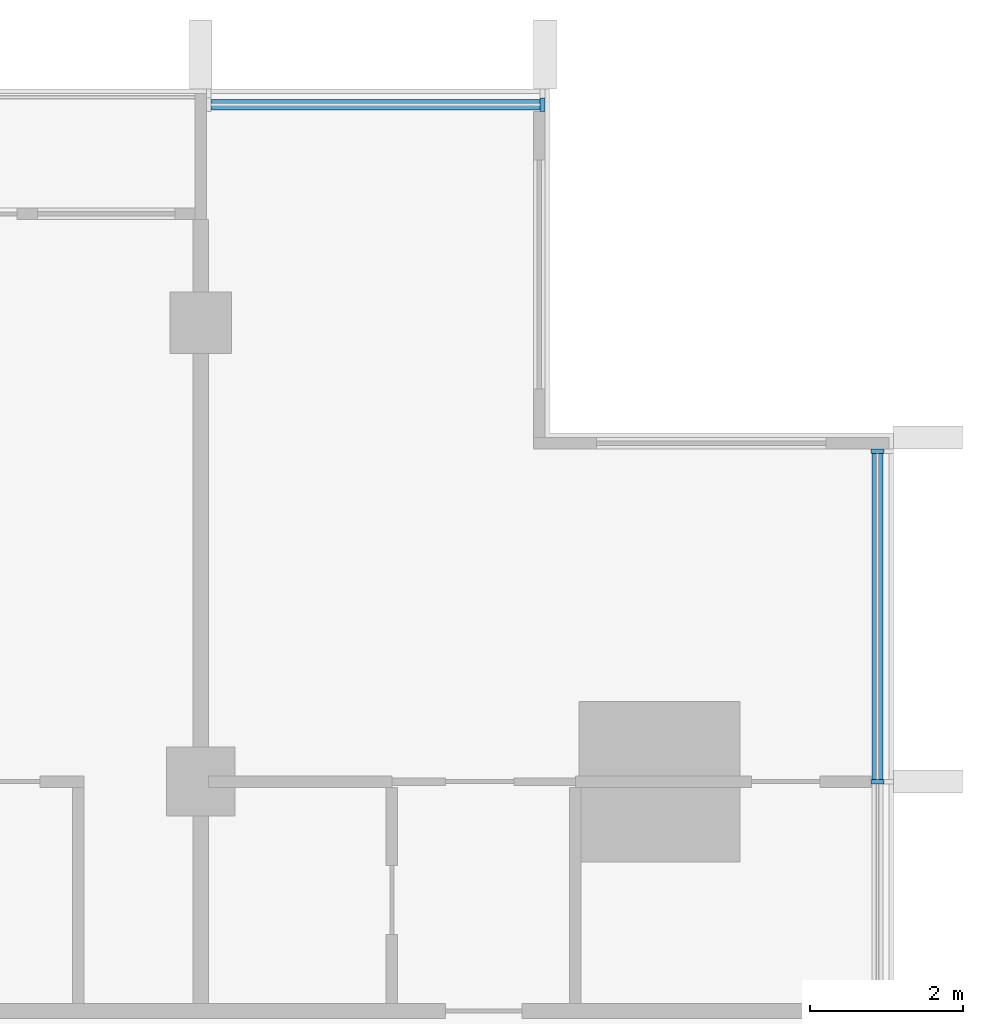
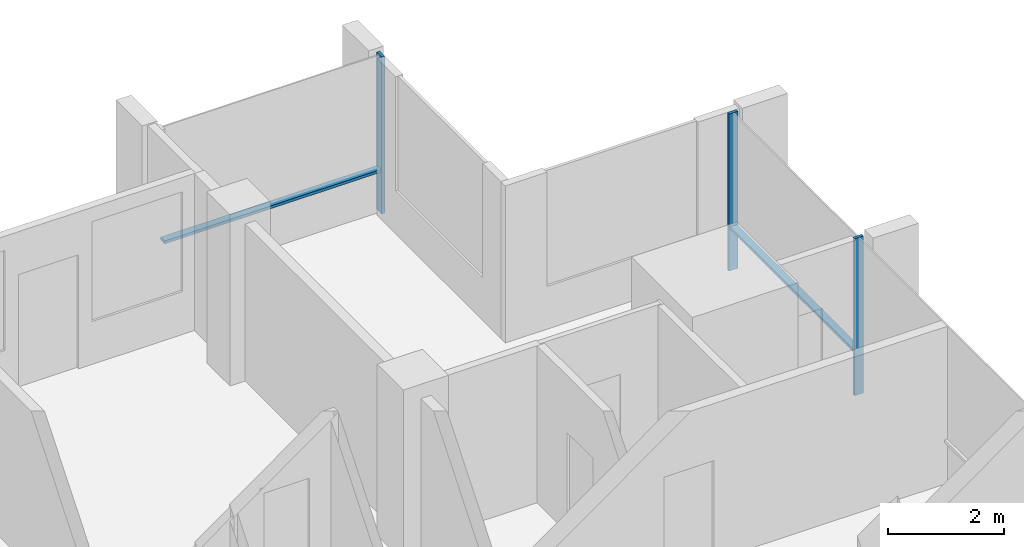
# One storey, part 5 of 16: 5 members, 2 elements without a shape of their own.
"""IFC4 building model written with IfcOpenShell, lengths in metres."""

from ifc_helpers import new_model, si_unit, direction, frame, origin, origin_2d, place, context, subcontext, project, spatial, rectangle, extrude, material, material_profile, profile_set, type_object, element, aggregate, save


model = new_model("IFC4")

# Units and contexts
model_context = context("Model", 3, precision=1e-05, world=origin(), true_north=direction((0.0, 1.0)))
body_context = subcontext(model_context, "Body", "Model", "MODEL_VIEW")
ifc_project = project(units=[si_unit("LENGTHUNIT", "METRE"), si_unit("AREAUNIT", "SQUARE_METRE"), si_unit("VOLUMEUNIT", "CUBIC_METRE"), si_unit("PLANEANGLEUNIT", "RADIAN"), si_unit("MASSUNIT", "GRAM", prefix="KILO")], contexts=[model_context])

# Site, building, storey
site_placement = place(None, origin())
site = spatial("IfcSite", under=ifc_project, at=site_placement, CompositionType="ELEMENT")
building_placement = place(site_placement, origin())
building = spatial("IfcBuilding", under=site, at=building_placement, Name="Finial Court Residences", CompositionType="ELEMENT")
storey_placement = place(building_placement, frame((0.0, 0.0, 241.10009765625)))
storey = spatial("IfcBuildingStorey", under=building, at=storey_placement, Name="L61", CompositionType="ELEMENT", Elevation=241.10009765625)

# Curtain wall, member
ifc_material = material(Name="Bronze anodised aluminium", Category="aluminium")
curtain_wall_type = type_object("IfcCurtainWallType", Name="Unitised curtain wall, upper zones", PredefinedType="NOTDEFINED", material=ifc_material)
curtain_wall_1_placement = place(storey_placement, origin())
curtain_wall_1 = element("IfcCurtainWall", 1, at=curtain_wall_1_placement, inside=storey, type_object=curtain_wall_type, Name="E-L61-CW-N3", PredefinedType="NOTDEFINED")
ifc_material_profile_1 = material_profile(ifc_material, rectangle(XDim=0.175048828125, YDim=0.06005859375, at=origin_2d()), Name="CW2 mullion 60 x 175")
ifc_profile_set_1 = profile_set([ifc_material_profile_1], Name="Bronze anodised aluminium")
member_type_1 = type_object("IfcMemberType", Name="CW2 mullion 60 x 175", PredefinedType="MULLION", material=ifc_profile_set_1)
member_1_placement = place(storey_placement, frame((14.969970703125, 16.35009765625, 0.0), z_axis=(0.0, 0.0, 1.0), x_axis=(0.0, 1.0, 0.0)))
member_1 = element("IfcMember", 2, at=member_1_placement, type_object=member_type_1, Name="CW2 mullion 2", PredefinedType="MULLION", context=body_context, shape_type="SweptSolid", body=[
    extrude(rectangle(XDim=0.175048828125, YDim=0.06005859375, at=origin_2d()), origin(), (0.0, 0.0, 1.0), 3.2998046875),
])

# Curtain wall, members
curtain_wall_2_placement = place(storey_placement, origin())
curtain_wall_2 = element("IfcCurtainWall", 3, at=curtain_wall_2_placement, inside=storey, type_object=curtain_wall_type, Name="E-L61-CW-E6", PredefinedType="NOTDEFINED")
member_2_placement = place(storey_placement, frame((19.35009765625, 7.5, 0.0), z_axis=(0.0, 0.0, 1.0), x_axis=(-1.0, 0.0, 0.0)))
member_2 = element("IfcMember", 4, at=member_2_placement, type_object=member_type_1, Name="CW2 mullion 2", PredefinedType="MULLION", context=body_context, shape_type="SweptSolid", body=[
    extrude(rectangle(XDim=0.175048828125, YDim=0.06005859375, at=origin_2d()), origin(), (0.0, 0.0, 1.0), 3.2998046875),
])
member_3_placement = place(storey_placement, frame((19.35009765625, 11.820068359375, 0.0), z_axis=(0.0, 0.0, 1.0), x_axis=(-1.0, 0.0, 0.0)))
member_3 = element("IfcMember", 5, at=member_3_placement, type_object=member_type_1, Name="CW2 mullion 3", PredefinedType="MULLION", context=body_context, shape_type="SweptSolid", body=[
    extrude(rectangle(XDim=0.175048828125, YDim=0.06005859375, at=origin_2d()), origin(), (0.0, 0.0, 1.0), 3.2998046875),
])

# Member
ifc_material_profile_2 = material_profile(ifc_material, rectangle(XDim=0.139892578125, YDim=0.06005859375, at=origin_2d()), Name="CW2 transom 60 x 140")
ifc_profile_set_2 = profile_set([ifc_material_profile_2], Name="Bronze anodised aluminium")
member_type_2 = type_object("IfcMemberType", Name="CW2 transom 60 x 140", PredefinedType="USERDEFINED", material=ifc_profile_set_2)
member_4_placement = place(storey_placement, frame((10.635009765625, 16.35009765625, 0.89990234375), z_axis=(1.0, 0.0, 0.0), x_axis=(0.0, 1.0, 0.0)))
member_4 = element("IfcMember", 6, at=member_4_placement, type_object=member_type_2, Name="CW2 transom 1.1", ObjectType="TRANSOM", PredefinedType="USERDEFINED", context=body_context, shape_type="SweptSolid", body=[
    extrude(rectangle(XDim=0.139892578125, YDim=0.06005859375, at=origin_2d()), origin(), (0.0, 0.0, 1.0), 4.304931640625),
])

aggregate(curtain_wall_1, [member_1, member_4])

member_5_placement = place(storey_placement, frame((19.35009765625, 7.530029296875, 0.89990234375), z_axis=(0.0, 1.0, 0.0), x_axis=(-1.0, 0.0, 0.0)))
member_5 = element("IfcMember", 7, at=member_5_placement, type_object=member_type_2, Name="CW2 transom 2.1", ObjectType="TRANSOM", PredefinedType="USERDEFINED", context=body_context, shape_type="SweptSolid", body=[
    extrude(rectangle(XDim=0.139892578125, YDim=0.06005859375, at=origin_2d()), origin(), (0.0, 0.0, 1.0), 4.260009765625),
])

aggregate(curtain_wall_2, [member_2, member_3, member_5])

save(model, "model.ifc")
